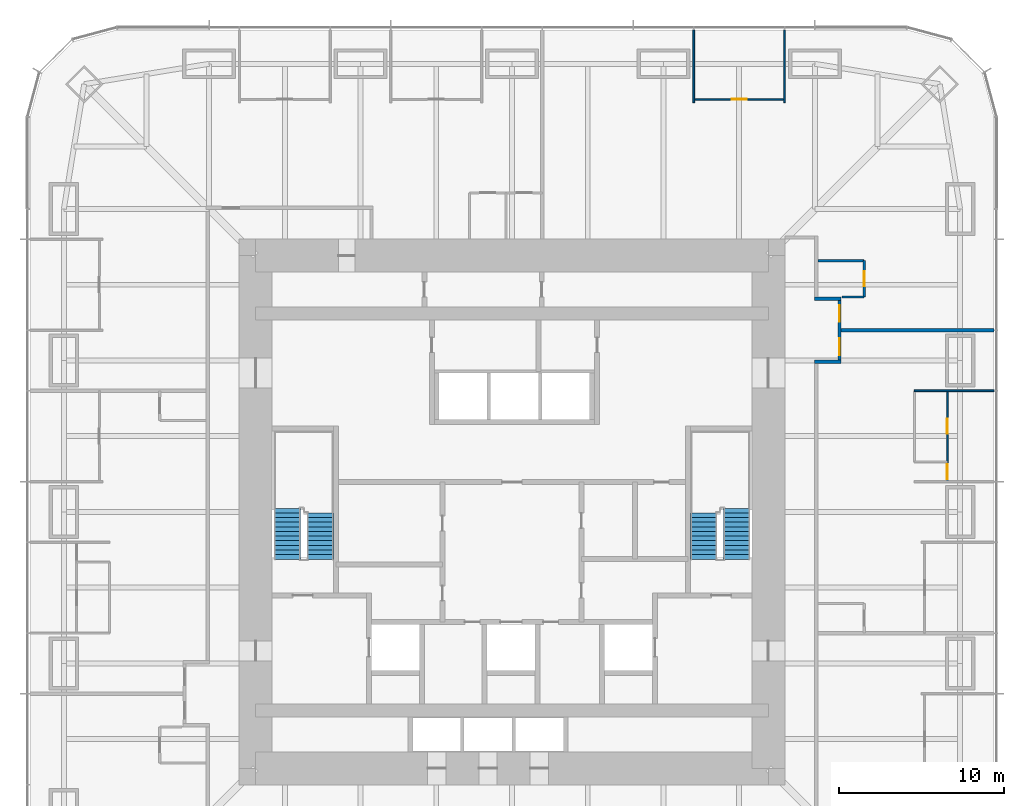
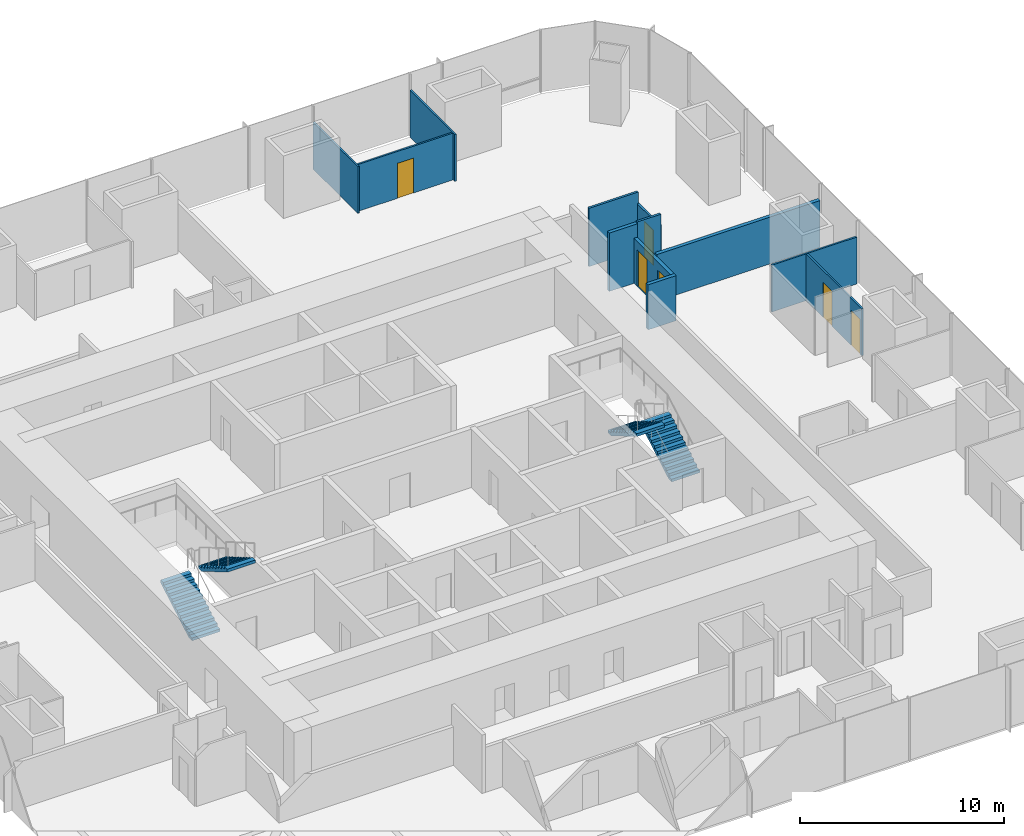
# One storey, part 12 of 13: 12 walls, 6 doors, 4 stair flights, 6 openings, 2 elements without a shape of their own.
"""IFC4 building model written with IfcOpenShell, lengths in metres."""

from ifc_helpers import new_model, si_unit, direction, frame, frame_2d, origin, place, context, subcontext, project, spatial, polyline, rectangle, outline, extrude, material, layer, layer_set, type_object, element, fill, aggregate, save


model = new_model("IFC4")

# Units and contexts
model_context = context("Model", 3, precision=1e-05, world=origin(), true_north=direction((0.0, 1.0)))
body_context = subcontext(model_context, "Body", "Model", "MODEL_VIEW")
ifc_project = project(units=[si_unit("LENGTHUNIT", "METRE"), si_unit("AREAUNIT", "SQUARE_METRE"), si_unit("VOLUMEUNIT", "CUBIC_METRE"), si_unit("PLANEANGLEUNIT", "RADIAN"), si_unit("MASSUNIT", "GRAM", prefix="KILO")], contexts=[model_context])

# Site, building, storey
site_placement = place(None, origin())
site = spatial("IfcSite", under=ifc_project, at=site_placement, CompositionType="ELEMENT")
building_placement = place(site_placement, origin())
building = spatial("IfcBuilding", under=site, at=building_placement, Name="Khuree Lantern Residences", CompositionType="ELEMENT")
storey_placement = place(building_placement, frame((0.0, 0.0, 111.0)))
storey = spatial("IfcBuildingStorey", under=building, at=storey_placement, Name="L27", CompositionType="ELEMENT", Elevation=111.0)

# Wall, opening, door
ifc_material_1 = material(Name="Moisture-resistant gypsum board on steel studs", Category="steel")
ifc_layer_1 = layer(ifc_material_1, 0.125)
ifc_layer_set_1 = layer_set([ifc_layer_1], Name="BATHROOM WALL BTW125")
wall_type_1 = type_object("IfcWallType", Name="BATHROOM WALL BTW125", PredefinedType="PARTITIONING", material=ifc_layer_set_1)
wall_1_placement = place(storey_placement, frame((21.300048828125, 12.991943359375, 0.0), z_axis=(0.0, 0.0, 1.0), x_axis=(0.0, 1.0, 0.0)))
wall_1 = element("IfcWall", 1, at=wall_1_placement, inside=storey, type_object=wall_type_1, Name="L27 BATHROOM WALL 02", PredefinedType="PARTITIONING", context=body_context, shape_type="SweptSolid", body=[
    extrude(rectangle(XDim=2.199951171875, YDim=0.125, at=frame_2d((1.10009765625, 0.0))), origin(), (0.0, 0.0, 1.0), 2.81005859375),
])
opening_1_placement = place(wall_1_placement, frame((0.64990234375, 0.0, 0.0)))
opening_1 = element("IfcOpeningElement", 2, at=opening_1_placement, cuts=wall_1, Name="Opening 27-032", PredefinedType="OPENING", context=body_context, shape_type="SweptSolid", body=[
    extrude(rectangle(XDim=0.89990234375, YDim=2.10009765625, at=frame_2d((0.449951171875, 1.050048828125))), frame((0.0, 0.072509765625, 0.0), z_axis=(0.0, -1.0, 0.0), x_axis=(1.0, 0.0, 0.0)), (0.0, 0.0, 1.0), 0.14501953125),
])
ifc_material_2 = material(Name="Timber door leaf in hardwood frame", Category="wood")
door_type_1 = type_object("IfcDoorType", Name="BATHROOM DOOR 900X2100", OperationType="SINGLE_SWING_LEFT", PredefinedType="DOOR", material=ifc_material_2)
door_1_placement = place(opening_1_placement, origin())
door_1 = element("IfcDoor", 3, at=door_1_placement, inside=storey, type_object=door_type_1, Name="Bathroom door 27-032", OperationType="SINGLE_SWING_LEFT", OverallHeight=2.10009765625, OverallWidth=0.89990234375, PredefinedType="DOOR", context=body_context, shape_type="SweptSolid", body=[
    extrude(rectangle(XDim=0.89990234375, YDim=2.10009765625, at=frame_2d((0.449951171875, 1.050048828125))), frame((0.0, 0.02490234375, 0.0), z_axis=(0.0, -1.0, 0.0), x_axis=(1.0, 0.0, 0.0)), (0.0, 0.0, 1.0), 0.050048828125),
])
fill(opening_1, door_1)

# Walls
wall_2_placement = place(storey_placement, frame((19.969970703125, 12.991943359375, 0.0), z_axis=(0.0, 0.0, 1.0), x_axis=(1.0, 0.0, 0.0)))
element("IfcWall", 4, at=wall_2_placement, inside=storey, type_object=wall_type_1, Name="L27 BATHROOM WALL 02", PredefinedType="PARTITIONING", context=body_context, shape_type="SweptSolid", body=[
    extrude(rectangle(XDim=1.330078125, YDim=0.125, at=frame_2d((0.6650390625, 0.0))), origin(), (0.0, 0.0, 1.0), 3.5),
])
wall_3_placement = place(storey_placement, frame((18.5, 15.19189453125, 0.0), z_axis=(0.0, 0.0, 1.0), x_axis=(1.0, 0.0, 0.0)))
element("IfcWall", 5, at=wall_3_placement, inside=storey, type_object=wall_type_1, Name="L27 BATHROOM WALL 02", PredefinedType="PARTITIONING", context=body_context, shape_type="SweptSolid", body=[
    extrude(rectangle(XDim=2.800048828125, YDim=0.125, at=frame_2d((1.39990234375, 0.0))), origin(), (0.0, 0.0, 1.0), 3.5),
])
ifc_material_3 = material(Name="Gypsum board on steel studs", Category="steel")
ifc_layer_2 = layer(ifc_material_3, 0.199951171875)
ifc_layer_set_2 = layer_set([ifc_layer_2], Name="CORRIDOR WALL CRW200 EI 60")
wall_type_2 = type_object("IfcWallType", Name="CORRIDOR WALL CRW200 EI 60", PredefinedType="PARTITIONING", material=ifc_layer_set_2)
wall_4_placement = place(storey_placement, frame((18.300048828125, 9.092041015625, 0.0), z_axis=(0.0, 0.0, 1.0), x_axis=(1.0, 0.0, 0.0)))
element("IfcWall", 6, at=wall_4_placement, inside=storey, type_object=wall_type_2, Name="L27 CORRIDOR ALCOVE WALL EAST", PredefinedType="PARTITIONING", context=body_context, shape_type="SweptSolid", body=[
    extrude(rectangle(XDim=1.599853515625, YDim=0.199951171875, at=frame_2d((0.7998046875, 0.0))), origin(), (0.0, 0.0, 1.0), 2.699951171875),
])
wall_5_placement = place(storey_placement, frame((18.300048828125, 12.89208984375, 0.0), z_axis=(0.0, 0.0, 1.0), x_axis=(1.0, 0.0, 0.0)))
element("IfcWall", 7, at=wall_5_placement, inside=storey, type_object=wall_type_2, Name="L27 CORRIDOR ALCOVE WALL EAST", PredefinedType="PARTITIONING", context=body_context, shape_type="SweptSolid", body=[
    extrude(rectangle(XDim=1.599853515625, YDim=0.199951171875, at=frame_2d((0.7998046875, 0.0))), origin(), (0.0, 0.0, 1.0), 3.5),
])

# Wall, openings, doors
wall_6_placement = place(storey_placement, frame((19.800048828125, 9.19189453125, 0.0), z_axis=(0.0, 0.0, 1.0), x_axis=(0.0, 1.0, 0.0)))
wall_6 = element("IfcWall", 8, at=wall_6_placement, inside=storey, type_object=wall_type_2, Name="L27 CORRIDOR ALCOVE WALL EAST", PredefinedType="PARTITIONING", context=body_context, shape_type="SweptSolid", body=[
    extrude(rectangle(XDim=3.60009765625, YDim=0.199951171875, at=frame_2d((1.800048828125, 0.0))), origin(), (0.0, 0.0, 1.0), 2.699951171875),
])
opening_2_placement = place(wall_6_placement, frame((0.300048828125, 0.0, 0.0)))
opening_2 = element("IfcOpeningElement", 9, at=opening_2_placement, cuts=wall_6, Name="Opening 27-030", PredefinedType="OPENING", context=body_context, shape_type="SweptSolid", body=[
    extrude(rectangle(XDim=1.0, YDim=2.199951171875, at=frame_2d((0.5, 1.10009765625))), frame((0.0, 0.10986328125, 0.0), z_axis=(0.0, -1.0, 0.0), x_axis=(1.0, 0.0, 0.0)), (0.0, 0.0, 1.0), 0.219970703125),
])
opening_3_placement = place(wall_6_placement, frame((2.300048828125, 0.0, 0.0)))
opening_3 = element("IfcOpeningElement", 10, at=opening_3_placement, cuts=wall_6, Name="Opening 27-033", PredefinedType="OPENING", context=body_context, shape_type="SweptSolid", body=[
    extrude(rectangle(XDim=1.0, YDim=2.199951171875, at=frame_2d((0.5, 1.10009765625))), frame((0.0, 0.10986328125, 0.0), z_axis=(0.0, -1.0, 0.0), x_axis=(1.0, 0.0, 0.0)), (0.0, 0.0, 1.0), 0.219970703125),
])
door_type_2 = type_object("IfcDoorType", Name="APARTMENT ENTRANCE DOOR 1000X2200 EI 30S", OperationType="SINGLE_SWING_LEFT", PredefinedType="DOOR", material=ifc_material_2)
door_2_placement = place(opening_2_placement, origin())
door_2 = element("IfcDoor", 11, at=door_2_placement, inside=storey, type_object=door_type_2, Name="Apartment 01 entrance door 27-030", OperationType="SINGLE_SWING_LEFT", OverallHeight=2.199951171875, OverallWidth=1.0, PredefinedType="DOOR", context=body_context, shape_type="SweptSolid", body=[
    extrude(rectangle(XDim=1.0, YDim=2.199951171875, at=frame_2d((0.5, 1.10009765625))), frame((0.0, 0.02490234375, 0.0), z_axis=(0.0, -1.0, 0.0), x_axis=(1.0, 0.0, 0.0)), (0.0, 0.0, 1.0), 0.050048828125),
])
fill(opening_2, door_2)
door_type_3 = type_object("IfcDoorType", Name="APARTMENT ENTRANCE DOOR 1000X2200 EI 30S RIGHT HAND", OperationType="SINGLE_SWING_RIGHT", PredefinedType="DOOR", material=ifc_material_2)
door_3_placement = place(opening_3_placement, origin())
door_3 = element("IfcDoor", 12, at=door_3_placement, inside=storey, type_object=door_type_3, Name="Apartment 02 entrance door 27-033", OperationType="SINGLE_SWING_RIGHT", OverallHeight=2.199951171875, OverallWidth=1.0, PredefinedType="DOOR", context=body_context, shape_type="SweptSolid", body=[
    extrude(rectangle(XDim=1.0, YDim=2.199951171875, at=frame_2d((0.5, 1.10009765625))), frame((0.0, 0.02490234375, 0.0), z_axis=(0.0, -1.0, 0.0), x_axis=(1.0, 0.0, 0.0)), (0.0, 0.0, 1.0), 0.050048828125),
])
fill(opening_3, door_3)

# Walls
ifc_layer_3 = layer(ifc_material_3, 0.199951171875)
ifc_layer_set_3 = layer_set([ifc_layer_3], Name="DEMISING WALL DMW200 EI 90")
wall_type_3 = type_object("IfcWallType", Name="DEMISING WALL DMW200 EI 90", PredefinedType="PARTITIONING", material=ifc_layer_set_3)
wall_7_placement = place(storey_placement, frame((19.89990234375, 10.991943359375, 0.0), z_axis=(0.0, 0.0, 1.0), x_axis=(1.0, 0.0, 0.0)))
element("IfcWall", 13, at=wall_7_placement, inside=storey, type_object=wall_type_3, Name="L27 DEMISING WALL 02", PredefinedType="PARTITIONING", context=body_context, shape_type="SweptSolid", body=[
    extrude(rectangle(XDim=9.25, YDim=0.199951171875, at=frame_2d((4.625, 0.0))), origin(), (0.0, 0.0, 1.0), 2.81005859375),
])
ifc_layer_4 = layer(ifc_material_3, 0.10009765625)
ifc_layer_set_4 = layer_set([ifc_layer_4], Name="PARTITION PT100")
wall_type_4 = type_object("IfcWallType", Name="PARTITION PT100", PredefinedType="PARTITIONING", material=ifc_layer_set_4)
wall_8_placement = place(storey_placement, frame((24.329833984375, 7.327880859375, 0.0), z_axis=(0.0, 0.0, 1.0), x_axis=(1.0, 0.0, 0.0)))
element("IfcWall", 14, at=wall_8_placement, inside=storey, type_object=wall_type_4, Name="L27 PARTITION 01", PredefinedType="PARTITIONING", context=body_context, shape_type="SweptSolid", body=[
    extrude(rectangle(XDim=4.820068359375, YDim=0.10009765625, at=frame_2d((2.41015625, 0.0))), origin(), (0.0, 0.0, 1.0), 2.81005859375),
])
for number, where, z_axis, x_axis, name in (
    (15, (16.488037109375, 24.75, 0.0), (0.0, 0.0, 1.0), (0.0, 1.0, 0.0), "L27 PARTITION 02"),
    (16, (10.991943359375, 24.75, 0.0), (0.0, 0.0, 1.0), (0.0, 1.0, 0.0), "L27 PARTITION 02"),
):
    element("IfcWall", number, at=place(storey_placement, frame(where, z_axis=z_axis, x_axis=x_axis)), inside=storey, type_object=wall_type_4, Name=name, PredefinedType="PARTITIONING", context=body_context, shape_type="SweptSolid", body=[
        extrude(rectangle(XDim=4.39990234375, YDim=0.10009765625, at=frame_2d((2.199951171875, 0.0))), origin(), (0.0, 0.0, 1.0), 2.81005859375),
    ])

# Wall, openings, doors
wall_9_placement = place(storey_placement, frame((26.329833984375, 1.83203125, 0.0), z_axis=(0.0, 0.0, 1.0), x_axis=(0.0, 1.0, 0.0)))
wall_9 = element("IfcWall", 17, at=wall_9_placement, inside=storey, type_object=wall_type_4, Name="L27 PARTITION 01", PredefinedType="PARTITIONING", context=body_context, shape_type="SweptSolid", body=[
    extrude(rectangle(XDim=5.495849609375, YDim=0.10009765625, at=frame_2d((2.748046875, 0.0))), origin(), (0.0, 0.0, 1.0), 2.81005859375),
])
opening_4_placement = place(wall_9_placement, frame((0.14990234375, 0.0, 0.0)))
opening_4 = element("IfcOpeningElement", 18, at=opening_4_placement, cuts=wall_9, Name="Opening 27-027", PredefinedType="OPENING", context=body_context, shape_type="SweptSolid", body=[
    extrude(rectangle(XDim=0.89990234375, YDim=2.10009765625, at=frame_2d((0.449951171875, 1.050048828125))), frame((0.0, 0.06005859375, 0.0), z_axis=(0.0, -1.0, 0.0), x_axis=(1.0, 0.0, 0.0)), (0.0, 0.0, 1.0), 0.1201171875),
])
opening_5_placement = place(wall_9_placement, frame((2.89794921875, 0.0, 0.0)))
opening_5 = element("IfcOpeningElement", 19, at=opening_5_placement, cuts=wall_9, Name="Opening 27-028", PredefinedType="OPENING", context=body_context, shape_type="SweptSolid", body=[
    extrude(rectangle(XDim=0.89990234375, YDim=2.10009765625, at=frame_2d((0.449951171875, 1.050048828125))), frame((0.0, 0.06005859375, 0.0), z_axis=(0.0, -1.0, 0.0), x_axis=(1.0, 0.0, 0.0)), (0.0, 0.0, 1.0), 0.1201171875),
])
door_4_placement = place(opening_5_placement, origin())
door_4 = element("IfcDoor", 20, at=door_4_placement, inside=storey, type_object=door_type_1, Name="Bathroom door 27-028", OperationType="SINGLE_SWING_LEFT", OverallHeight=2.10009765625, OverallWidth=0.89990234375, PredefinedType="DOOR", context=body_context, shape_type="SweptSolid", body=[
    extrude(rectangle(XDim=0.89990234375, YDim=2.10009765625, at=frame_2d((0.449951171875, 1.050048828125))), frame((0.0, 0.02490234375, 0.0), z_axis=(0.0, -1.0, 0.0), x_axis=(1.0, 0.0, 0.0)), (0.0, 0.0, 1.0), 0.050048828125),
])
fill(opening_5, door_4)
door_type_4 = type_object("IfcDoorType", Name="BEDROOM DOOR 900X2100", OperationType="SINGLE_SWING_LEFT", PredefinedType="DOOR", material=ifc_material_2)
door_5_placement = place(opening_4_placement, origin())
door_5 = element("IfcDoor", 21, at=door_5_placement, inside=storey, type_object=door_type_4, Name="Bedroom door 27-027", OperationType="SINGLE_SWING_LEFT", OverallHeight=2.10009765625, OverallWidth=0.89990234375, PredefinedType="DOOR", context=body_context, shape_type="SweptSolid", body=[
    extrude(rectangle(XDim=0.89990234375, YDim=2.10009765625, at=frame_2d((0.449951171875, 1.050048828125))), frame((0.0, 0.02490234375, 0.0), z_axis=(0.0, -1.0, 0.0), x_axis=(1.0, 0.0, 0.0)), (0.0, 0.0, 1.0), 0.050048828125),
])
fill(opening_4, door_5)

# Wall, opening, door
wall_10_placement = place(storey_placement, frame((16.488037109375, 24.949951171875, 0.0), z_axis=(0.0, 0.0, 1.0), x_axis=(-1.0, 0.0, 0.0)))
wall_10 = element("IfcWall", 22, at=wall_10_placement, inside=storey, type_object=wall_type_4, Name="L27 PARTITION 02", PredefinedType="PARTITIONING", context=body_context, shape_type="SweptSolid", body=[
    extrude(rectangle(XDim=5.49609375, YDim=0.10009765625, at=frame_2d((2.748046875, 0.0))), origin(), (0.0, 0.0, 1.0), 2.81005859375),
])
opening_6_placement = place(wall_10_placement, frame((2.298095703125, 0.0, 0.0)))
opening_6 = element("IfcOpeningElement", 23, at=opening_6_placement, cuts=wall_10, Name="Opening 27-031", PredefinedType="OPENING", context=body_context, shape_type="SweptSolid", body=[
    extrude(rectangle(XDim=0.89990234375, YDim=2.10009765625, at=frame_2d((0.449951171875, 1.050048828125))), frame((0.0, 0.06005859375, 0.0), z_axis=(0.0, -1.0, 0.0), x_axis=(1.0, 0.0, 0.0)), (0.0, 0.0, 1.0), 0.1201171875),
])
door_6_placement = place(opening_6_placement, origin())
door_6 = element("IfcDoor", 24, at=door_6_placement, inside=storey, type_object=door_type_4, Name="Bedroom door 27-031", OperationType="SINGLE_SWING_LEFT", OverallHeight=2.10009765625, OverallWidth=0.89990234375, PredefinedType="DOOR", context=body_context, shape_type="SweptSolid", body=[
    extrude(rectangle(XDim=0.89990234375, YDim=2.10009765625, at=frame_2d((0.449951171875, 1.050048828125))), frame((0.0, 0.02490234375, 0.0), z_axis=(0.0, -1.0, 0.0), x_axis=(1.0, 0.0, 0.0)), (0.0, 0.0, 1.0), 0.050048828125),
])
fill(opening_6, door_6)

# Stair, stair flights
ifc_material_4 = material(Name="Concrete C40/50", Category="concrete")
stair_type = type_object("IfcStairType", Name="STAIR ST1 HALF TURN 3600", PredefinedType="HALF_TURN_STAIR", material=ifc_material_4)
stair_1_placement = place(storey_placement, origin())
stair_1 = element("IfcStair", 25, at=stair_1_placement, inside=storey, type_object=stair_type, Name="Stair ST1", PredefinedType="HALF_TURN_STAIR")
stair_flight_type = type_object("IfcStairFlightType", Name="STAIR FLIGHT SF1 1600", PredefinedType="STRAIGHT", material=ifc_material_4)
stair_flight_1_placement = place(storey_placement, frame((-13.60009765625, -2.860107421875, 0.0), z_axis=(0.0, 0.0, 1.0), x_axis=(0.0, 1.0, 0.0)))
stair_flight_1 = element("IfcStairFlight", 26, at=stair_flight_1_placement, type_object=stair_flight_type, Name="ST1 flight 1", NumberOfRisers=12, NumberOfTreads=11, PredefinedType="STRAIGHT", RiserHeight=0.163043478, TreadLength=0.28, context=body_context, shape_type="SweptSolid", body=[
    extrude(outline(polyline([(0.0, 0.0), (0.0, 0.1630859375), (0.280029296875, 0.1630859375), (0.280029296875, 0.326171875), (0.56005859375, 0.326171875), (0.56005859375, 0.489013671875), (0.840087890625, 0.489013671875), (0.840087890625, 0.652099609375), (1.1201171875, 0.652099609375), (1.1201171875, 0.815185546875), (1.39990234375, 0.815185546875), (1.39990234375, 0.978271484375), (1.679931640625, 0.978271484375), (1.679931640625, 1.141357421875), (1.9599609375, 1.141357421875), (1.9599609375, 1.304443359375), (2.239990234375, 1.304443359375), (2.239990234375, 1.46728515625), (2.52001953125, 1.46728515625), (2.52001953125, 1.63037109375), (2.800048828125, 1.63037109375), (2.800048828125, 1.79345703125), (3.080078125, 1.79345703125), (3.080078125, 1.95654296875), (3.080078125, 1.6201171875), (0.2978515625, 0.0), (0.0, 0.0)])), frame((0.0, 0.800048828125, 0.0), z_axis=(0.0, -1.0, 0.0), x_axis=(1.0, 0.0, 0.0)), (0.0, 0.0, 1.0), 1.60009765625),
])
stair_flight_2_placement = place(storey_placement, frame((-11.60009765625, -0.06005859375, 1.95654296875), z_axis=(0.0, 0.0, 1.0), x_axis=(0.0, -1.0, 0.0)))
stair_flight_2 = element("IfcStairFlight", 27, at=stair_flight_2_placement, type_object=stair_flight_type, Name="ST1 flight 2", NumberOfRisers=11, NumberOfTreads=10, PredefinedType="STRAIGHT", RiserHeight=0.163043478, TreadLength=0.28, context=body_context, shape_type="SweptSolid", body=[
    extrude(outline(polyline([(0.0, 0.0), (0.0, 0.1630859375), (0.280029296875, 0.1630859375), (0.280029296875, 0.326171875), (0.56005859375, 0.326171875), (0.56005859375, 0.489013671875), (0.840087890625, 0.489013671875), (0.840087890625, 0.652099609375), (1.1201171875, 0.652099609375), (1.1201171875, 0.815185546875), (1.39990234375, 0.815185546875), (1.39990234375, 0.978271484375), (1.679931640625, 0.978271484375), (1.679931640625, 1.141357421875), (1.9599609375, 1.141357421875), (1.9599609375, 1.304443359375), (2.239990234375, 1.304443359375), (2.239990234375, 1.46728515625), (2.52001953125, 1.46728515625), (2.52001953125, 1.63037109375), (2.800048828125, 1.63037109375), (2.800048828125, 1.79345703125), (2.800048828125, 1.45703125), (0.2978515625, 0.0), (0.0, 0.0)])), frame((0.0, 0.800048828125, 0.0), z_axis=(0.0, -1.0, 0.0), x_axis=(1.0, 0.0, 0.0)), (0.0, 0.0, 1.0), 1.60009765625),
])
aggregate(stair_1, [stair_flight_1, stair_flight_2])

stair_2_placement = place(storey_placement, origin())
stair_2 = element("IfcStair", 28, at=stair_2_placement, inside=storey, type_object=stair_type, Name="Stair ST2", PredefinedType="HALF_TURN_STAIR")
stair_flight_3_placement = place(storey_placement, frame((13.60009765625, -2.860107421875, 0.0), z_axis=(0.0, 0.0, 1.0), x_axis=(0.0, 1.0, 0.0)))
stair_flight_3 = element("IfcStairFlight", 29, at=stair_flight_3_placement, type_object=stair_flight_type, Name="ST2 flight 1", NumberOfRisers=12, NumberOfTreads=11, PredefinedType="STRAIGHT", RiserHeight=0.163043478, TreadLength=0.28, context=body_context, shape_type="SweptSolid", body=[
    extrude(outline(polyline([(0.0, 0.0), (0.0, 0.1630859375), (0.280029296875, 0.1630859375), (0.280029296875, 0.326171875), (0.56005859375, 0.326171875), (0.56005859375, 0.489013671875), (0.840087890625, 0.489013671875), (0.840087890625, 0.652099609375), (1.1201171875, 0.652099609375), (1.1201171875, 0.815185546875), (1.39990234375, 0.815185546875), (1.39990234375, 0.978271484375), (1.679931640625, 0.978271484375), (1.679931640625, 1.141357421875), (1.9599609375, 1.141357421875), (1.9599609375, 1.304443359375), (2.239990234375, 1.304443359375), (2.239990234375, 1.46728515625), (2.52001953125, 1.46728515625), (2.52001953125, 1.63037109375), (2.800048828125, 1.63037109375), (2.800048828125, 1.79345703125), (3.080078125, 1.79345703125), (3.080078125, 1.95654296875), (3.080078125, 1.6201171875), (0.2978515625, 0.0), (0.0, 0.0)])), frame((0.0, 0.800048828125, 0.0), z_axis=(0.0, -1.0, 0.0), x_axis=(1.0, 0.0, 0.0)), (0.0, 0.0, 1.0), 1.60009765625),
])
stair_flight_4_placement = place(storey_placement, frame((11.60009765625, -0.06005859375, 1.95654296875), z_axis=(0.0, 0.0, 1.0), x_axis=(0.0, -1.0, 0.0)))
stair_flight_4 = element("IfcStairFlight", 30, at=stair_flight_4_placement, type_object=stair_flight_type, Name="ST2 flight 2", NumberOfRisers=11, NumberOfTreads=10, PredefinedType="STRAIGHT", RiserHeight=0.163043478, TreadLength=0.28, context=body_context, shape_type="SweptSolid", body=[
    extrude(outline(polyline([(0.0, 0.0), (0.0, 0.1630859375), (0.280029296875, 0.1630859375), (0.280029296875, 0.326171875), (0.56005859375, 0.326171875), (0.56005859375, 0.489013671875), (0.840087890625, 0.489013671875), (0.840087890625, 0.652099609375), (1.1201171875, 0.652099609375), (1.1201171875, 0.815185546875), (1.39990234375, 0.815185546875), (1.39990234375, 0.978271484375), (1.679931640625, 0.978271484375), (1.679931640625, 1.141357421875), (1.9599609375, 1.141357421875), (1.9599609375, 1.304443359375), (2.239990234375, 1.304443359375), (2.239990234375, 1.46728515625), (2.52001953125, 1.46728515625), (2.52001953125, 1.63037109375), (2.800048828125, 1.63037109375), (2.800048828125, 1.79345703125), (2.800048828125, 1.45703125), (0.2978515625, 0.0), (0.0, 0.0)])), frame((0.0, 0.800048828125, 0.0), z_axis=(0.0, -1.0, 0.0), x_axis=(1.0, 0.0, 0.0)), (0.0, 0.0, 1.0), 1.60009765625),
])
aggregate(stair_2, [stair_flight_3, stair_flight_4])

save(model, "model.ifc")
